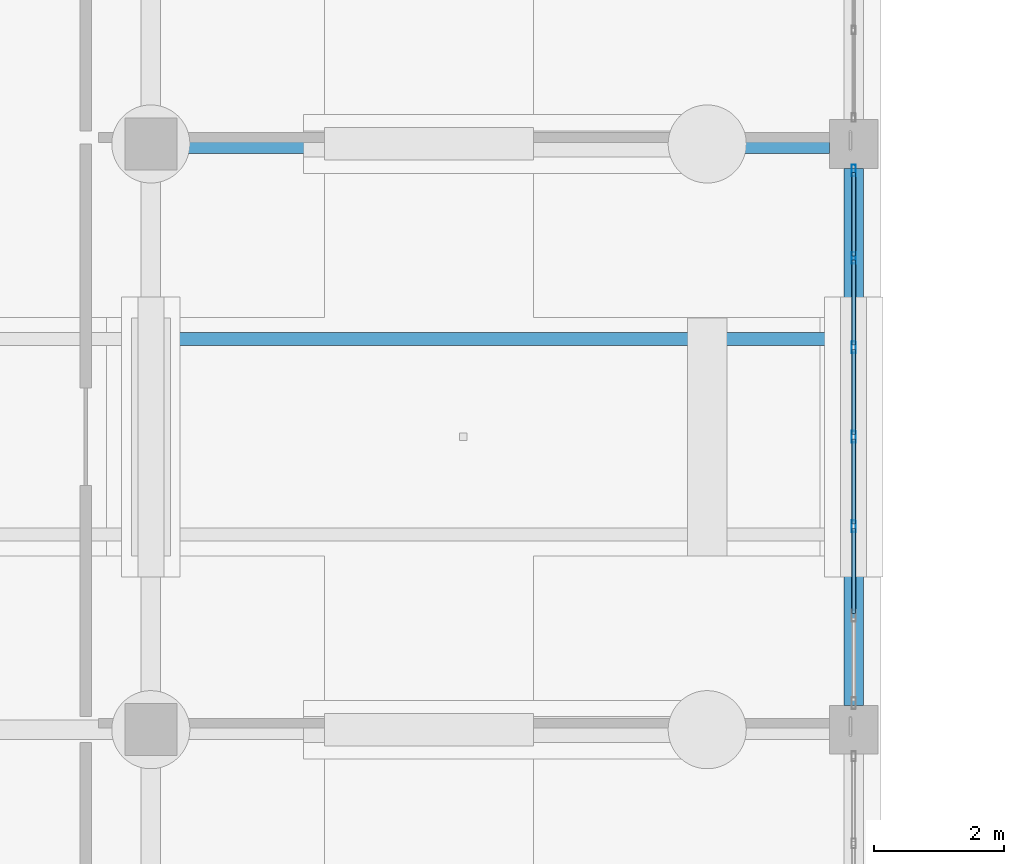
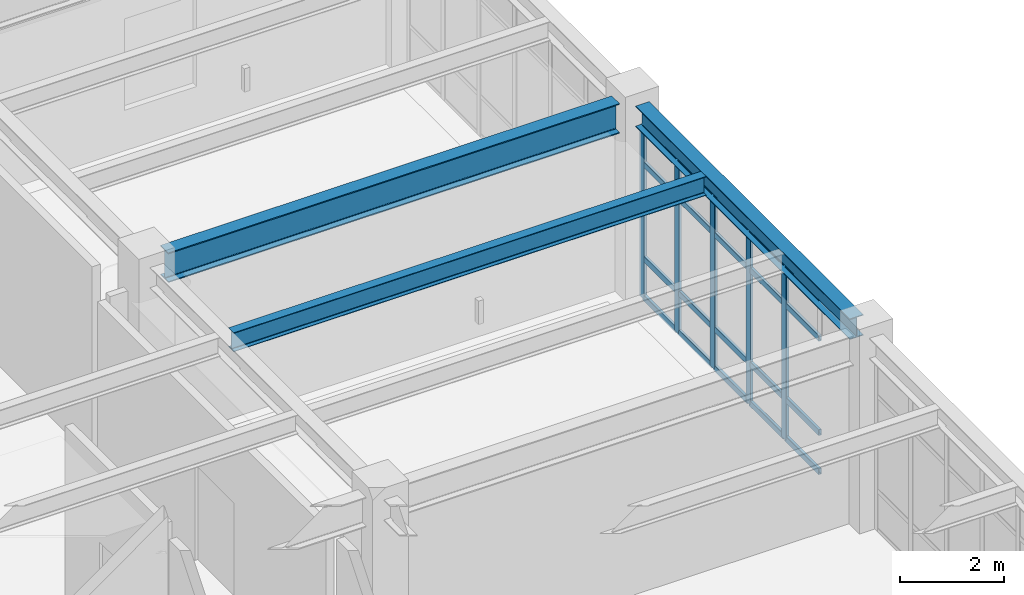
# One storey, part 46 of 98: 25 members, 3 beams, 1 element without a shape of its own.
"""IFC4 building model written with IfcOpenShell, lengths in metres."""

from ifc_helpers import new_model, si_unit, direction, frame, origin, origin_2d, place, context, subcontext, project, spatial, hollow_rectangle, i_section, extrude, material, material_profile, profile_set, type_object, element, aggregate, save


model = new_model("IFC4")

# Units and contexts
model_context = context("Model", 3, precision=1e-05, world=origin(), true_north=direction((0.0, 1.0)))
body_context = subcontext(model_context, "Body", "Model", "MODEL_VIEW")
ifc_project = project(units=[si_unit("LENGTHUNIT", "METRE"), si_unit("AREAUNIT", "SQUARE_METRE"), si_unit("VOLUMEUNIT", "CUBIC_METRE"), si_unit("PLANEANGLEUNIT", "RADIAN"), si_unit("MASSUNIT", "GRAM", prefix="KILO")], contexts=[model_context])

# Site, building, storey
site_placement = place(None, origin())
site = spatial("IfcSite", under=ifc_project, at=site_placement, CompositionType="ELEMENT")
building_placement = place(site_placement, origin())
building = spatial("IfcBuilding", under=site, at=building_placement, Name="Canglan Escarpment Cableway Terminal", CompositionType="ELEMENT")
storey_placement = place(building_placement, frame((0.0, 0.0, 9.60009765625)))
storey = spatial("IfcBuildingStorey", under=building, at=storey_placement, Name="L02", CompositionType="ELEMENT", Elevation=9.60009765625)

# Beams
ifc_material_1 = material(Name="Steel Q355B", Category="steel")
ifc_material_profile_1 = material_profile(ifc_material_1, i_section(OverallWidth=0.300048828125, OverallDepth=0.488037109375, WebThickness=0.010986328125, FlangeThickness=0.01806640625, FilletRadius=0.02587890625, at=origin_2d()), Name="HM 488x300x11x18")
ifc_profile_set_1 = profile_set([ifc_material_profile_1], Name="Steel Q355B")
beam_type_1 = type_object("IfcBeamType", Name="BM-HM488", PredefinedType="BEAM", material=ifc_profile_set_1)
beam_1_placement = place(storey_placement, frame((136.699951171875, 61.375, 4.27587890625), z_axis=(0.0, 1.0, 0.0), x_axis=(-1.0, 0.0, 0.0)))
element("IfcBeam", 1, at=beam_1_placement, inside=storey, type_object=beam_type_1, Name="Primary transverse girder B-09", PredefinedType="BEAM", context=body_context, shape_type="SweptSolid", body=[
    extrude(i_section(OverallWidth=0.300048828125, OverallDepth=0.488037109375, WebThickness=0.010986328125, FlangeThickness=0.01806640625, FilletRadius=0.02587890625, at=origin_2d()), origin(), (0.0, 0.0, 1.0), 8.25),
])
ifc_material_2 = material(Name="Steel Q355C", Category="steel")
ifc_material_profile_2 = material_profile(ifc_material_2, i_section(OverallWidth=0.300048828125, OverallDepth=0.699951171875, WebThickness=0.012939453125, FlangeThickness=0.02392578125, FilletRadius=0.028076171875, at=origin_2d()), Name="HN 700x300x13x24")
ifc_profile_set_2 = profile_set([ifc_material_profile_2], Name="Steel Q355C")
beam_type_2 = type_object("IfcBeamType", Name="BM-HN700", PredefinedType="BEAM", material=ifc_profile_set_2)
beam_2_placement = place(storey_placement, frame((126.300048828125, 70.0, 4.169921875), z_axis=(1.0, 0.0, 0.0), x_axis=(0.0, 1.0, 0.0)))
element("IfcBeam", 2, at=beam_2_placement, inside=storey, type_object=beam_type_2, Name="Primary structural girder B-06", PredefinedType="BEAM", context=body_context, shape_type="SweptSolid", body=[
    extrude(i_section(OverallWidth=0.300048828125, OverallDepth=0.699951171875, WebThickness=0.012939453125, FlangeThickness=0.02392578125, FilletRadius=0.028076171875, at=origin_2d()), origin(), (0.0, 0.0, 1.0), 10.02490234375),
])

# Curtain wall, members
ifc_material_3 = material(Name="Anodized bronze aluminium and Low-E double glazing", Category="aluminium")
curtain_wall_type = type_object("IfcCurtainWallType", Name="CW-BAY-8250x4025", PredefinedType="NOTDEFINED", material=ifc_material_3)
curtain_wall_placement = place(storey_placement, origin())
curtain_wall = element("IfcCurtainWall", 3, at=curtain_wall_placement, inside=storey, type_object=curtain_wall_type, Name="Classical bay-between-piers glazed curtain wall CW-43", PredefinedType="NOTDEFINED")
ifc_material_4 = material(Name="Thermally broken anodized aluminium 6063-T6", Category="aluminium")
ifc_material_profile_3 = material_profile(ifc_material_4, hollow_rectangle(XDim=0.06494140625, YDim=0.179931640625, WallThickness=0.00390625, InnerFilletRadius=0.00390625, OuterFilletRadius=0.008056640625, at=origin_2d()), Name="ALU-MULL 65x180x4")
ifc_profile_set_3 = profile_set([ifc_material_profile_3], Name="Thermally broken anodized aluminium 6063-T6")
member_type_1 = type_object("IfcMemberType", Name="CWM-03", PredefinedType="MULLION", material=ifc_profile_set_3)
member_1_placement = place(storey_placement, frame((136.699951171875, 64.125, 0.0), z_axis=(0.0, 0.0, 1.0), x_axis=(-1.0, 0.0, 0.0)))
member_1 = element("IfcMember", 4, at=member_1_placement, type_object=member_type_1, Name="CW-43 mullion 3", PredefinedType="MULLION", context=body_context, shape_type="SweptSolid", body=[
    extrude(hollow_rectangle(XDim=0.06494140625, YDim=0.179931640625, WallThickness=0.00390625, InnerFilletRadius=0.00390625, OuterFilletRadius=0.008056640625, at=origin_2d()), origin(), (0.0, 0.0, 1.0), 4.016845703125),
])
member_2_placement = place(storey_placement, frame((136.699951171875, 65.5, 0.0), z_axis=(0.0, 0.0, 1.0), x_axis=(-1.0, 0.0, 0.0)))
member_2 = element("IfcMember", 5, at=member_2_placement, type_object=member_type_1, Name="CW-43 mullion 4", PredefinedType="MULLION", context=body_context, shape_type="SweptSolid", body=[
    extrude(hollow_rectangle(XDim=0.06494140625, YDim=0.179931640625, WallThickness=0.00390625, InnerFilletRadius=0.00390625, OuterFilletRadius=0.008056640625, at=origin_2d()), origin(), (0.0, 0.0, 1.0), 4.016845703125),
])
member_3_placement = place(storey_placement, frame((136.699951171875, 66.875, 0.0), z_axis=(0.0, 0.0, 1.0), x_axis=(-1.0, 0.0, 0.0)))
member_3 = element("IfcMember", 6, at=member_3_placement, type_object=member_type_1, Name="CW-43 mullion 5", PredefinedType="MULLION", context=body_context, shape_type="SweptSolid", body=[
    extrude(hollow_rectangle(XDim=0.06494140625, YDim=0.179931640625, WallThickness=0.00390625, InnerFilletRadius=0.00390625, OuterFilletRadius=0.008056640625, at=origin_2d()), origin(), (0.0, 0.0, 1.0), 4.016845703125),
])
member_4_placement = place(storey_placement, frame((136.699951171875, 68.25, 0.0), z_axis=(0.0, 0.0, 1.0), x_axis=(-1.0, 0.0, 0.0)))
member_4 = element("IfcMember", 7, at=member_4_placement, type_object=member_type_1, Name="CW-43 mullion 6", PredefinedType="MULLION", context=body_context, shape_type="SweptSolid", body=[
    extrude(hollow_rectangle(XDim=0.06494140625, YDim=0.179931640625, WallThickness=0.00390625, InnerFilletRadius=0.00390625, OuterFilletRadius=0.008056640625, at=origin_2d()), origin(), (0.0, 0.0, 1.0), 4.016845703125),
])
member_5_placement = place(storey_placement, frame((136.699951171875, 69.592529296875, 0.0), z_axis=(0.0, 0.0, 1.0), x_axis=(-1.0, 0.0, 0.0)))
member_5 = element("IfcMember", 8, at=member_5_placement, type_object=member_type_1, Name="CW-43 mullion 7", PredefinedType="MULLION", context=body_context, shape_type="SweptSolid", body=[
    extrude(hollow_rectangle(XDim=0.06494140625, YDim=0.179931640625, WallThickness=0.00390625, InnerFilletRadius=0.00390625, OuterFilletRadius=0.008056640625, at=origin_2d()), origin(), (0.0, 0.0, 1.0), 4.016845703125),
])
ifc_material_profile_4 = material_profile(ifc_material_4, hollow_rectangle(XDim=0.06494140625, YDim=0.139892578125, WallThickness=0.00341796875, InnerFilletRadius=0.00341796875, OuterFilletRadius=0.007080078125, at=origin_2d()), Name="ALU-TRAN 65x140x3.5")
ifc_profile_set_4 = profile_set([ifc_material_profile_4], Name="Thermally broken anodized aluminium 6063-T6")
member_type_2 = type_object("IfcMemberType", Name="CWT-03", PredefinedType="USERDEFINED", material=ifc_profile_set_4)
member_6_placement = place(storey_placement, frame((136.699951171875, 62.782470703125, 0.032470703125), z_axis=(0.0, 1.0, 0.0), x_axis=(-1.0, 0.0, 0.0)))
member_6 = element("IfcMember", 9, at=member_6_placement, type_object=member_type_2, Name="CW-43 transom 2.1", ObjectType="TRANSOM", PredefinedType="USERDEFINED", context=body_context, shape_type="SweptSolid", body=[
    extrude(hollow_rectangle(XDim=0.06494140625, YDim=0.139892578125, WallThickness=0.00341796875, InnerFilletRadius=0.00341796875, OuterFilletRadius=0.007080078125, at=origin_2d()), origin(), (0.0, 0.0, 1.0), 1.31005859375),
])
member_7_placement = place(storey_placement, frame((136.699951171875, 62.782470703125, 0.949951171875), z_axis=(0.0, 1.0, 0.0), x_axis=(-1.0, 0.0, 0.0)))
member_7 = element("IfcMember", 10, at=member_7_placement, type_object=member_type_2, Name="CW-43 transom 2.2", ObjectType="TRANSOM", PredefinedType="USERDEFINED", context=body_context, shape_type="SweptSolid", body=[
    extrude(hollow_rectangle(XDim=0.06494140625, YDim=0.139892578125, WallThickness=0.00341796875, InnerFilletRadius=0.00341796875, OuterFilletRadius=0.007080078125, at=origin_2d()), origin(), (0.0, 0.0, 1.0), 1.31005859375),
])
member_8_placement = place(storey_placement, frame((136.699951171875, 62.782470703125, 3.1669921875), z_axis=(0.0, 1.0, 0.0), x_axis=(-1.0, 0.0, 0.0)))
member_8 = element("IfcMember", 11, at=member_8_placement, type_object=member_type_2, Name="CW-43 transom 2.3", ObjectType="TRANSOM", PredefinedType="USERDEFINED", context=body_context, shape_type="SweptSolid", body=[
    extrude(hollow_rectangle(XDim=0.06494140625, YDim=0.139892578125, WallThickness=0.00341796875, InnerFilletRadius=0.00341796875, OuterFilletRadius=0.007080078125, at=origin_2d()), origin(), (0.0, 0.0, 1.0), 1.31005859375),
])
member_9_placement = place(storey_placement, frame((136.699951171875, 62.782470703125, 3.984375), z_axis=(0.0, 1.0, 0.0), x_axis=(-1.0, 0.0, 0.0)))
member_9 = element("IfcMember", 12, at=member_9_placement, type_object=member_type_2, Name="CW-43 transom 2.4", ObjectType="TRANSOM", PredefinedType="USERDEFINED", context=body_context, shape_type="SweptSolid", body=[
    extrude(hollow_rectangle(XDim=0.06494140625, YDim=0.139892578125, WallThickness=0.00341796875, InnerFilletRadius=0.00341796875, OuterFilletRadius=0.007080078125, at=origin_2d()), origin(), (0.0, 0.0, 1.0), 1.31005859375),
])
member_10_placement = place(storey_placement, frame((136.699951171875, 64.157470703125, 0.032470703125), z_axis=(0.0, 1.0, 0.0), x_axis=(-1.0, 0.0, 0.0)))
member_10 = element("IfcMember", 13, at=member_10_placement, type_object=member_type_2, Name="CW-43 transom 3.1", ObjectType="TRANSOM", PredefinedType="USERDEFINED", context=body_context, shape_type="SweptSolid", body=[
    extrude(hollow_rectangle(XDim=0.06494140625, YDim=0.139892578125, WallThickness=0.00341796875, InnerFilletRadius=0.00341796875, OuterFilletRadius=0.007080078125, at=origin_2d()), origin(), (0.0, 0.0, 1.0), 1.31005859375),
])
member_11_placement = place(storey_placement, frame((136.699951171875, 64.157470703125, 0.949951171875), z_axis=(0.0, 1.0, 0.0), x_axis=(-1.0, 0.0, 0.0)))
member_11 = element("IfcMember", 14, at=member_11_placement, type_object=member_type_2, Name="CW-43 transom 3.2", ObjectType="TRANSOM", PredefinedType="USERDEFINED", context=body_context, shape_type="SweptSolid", body=[
    extrude(hollow_rectangle(XDim=0.06494140625, YDim=0.139892578125, WallThickness=0.00341796875, InnerFilletRadius=0.00341796875, OuterFilletRadius=0.007080078125, at=origin_2d()), origin(), (0.0, 0.0, 1.0), 1.31005859375),
])
member_12_placement = place(storey_placement, frame((136.699951171875, 64.157470703125, 3.1669921875), z_axis=(0.0, 1.0, 0.0), x_axis=(-1.0, 0.0, 0.0)))
member_12 = element("IfcMember", 15, at=member_12_placement, type_object=member_type_2, Name="CW-43 transom 3.3", ObjectType="TRANSOM", PredefinedType="USERDEFINED", context=body_context, shape_type="SweptSolid", body=[
    extrude(hollow_rectangle(XDim=0.06494140625, YDim=0.139892578125, WallThickness=0.00341796875, InnerFilletRadius=0.00341796875, OuterFilletRadius=0.007080078125, at=origin_2d()), origin(), (0.0, 0.0, 1.0), 1.31005859375),
])
member_13_placement = place(storey_placement, frame((136.699951171875, 64.157470703125, 3.984375), z_axis=(0.0, 1.0, 0.0), x_axis=(-1.0, 0.0, 0.0)))
member_13 = element("IfcMember", 16, at=member_13_placement, type_object=member_type_2, Name="CW-43 transom 3.4", ObjectType="TRANSOM", PredefinedType="USERDEFINED", context=body_context, shape_type="SweptSolid", body=[
    extrude(hollow_rectangle(XDim=0.06494140625, YDim=0.139892578125, WallThickness=0.00341796875, InnerFilletRadius=0.00341796875, OuterFilletRadius=0.007080078125, at=origin_2d()), origin(), (0.0, 0.0, 1.0), 1.31005859375),
])
member_14_placement = place(storey_placement, frame((136.699951171875, 65.532470703125, 0.032470703125), z_axis=(0.0, 1.0, 0.0), x_axis=(-1.0, 0.0, 0.0)))
member_14 = element("IfcMember", 17, at=member_14_placement, type_object=member_type_2, Name="CW-43 transom 4.1", ObjectType="TRANSOM", PredefinedType="USERDEFINED", context=body_context, shape_type="SweptSolid", body=[
    extrude(hollow_rectangle(XDim=0.06494140625, YDim=0.139892578125, WallThickness=0.00341796875, InnerFilletRadius=0.00341796875, OuterFilletRadius=0.007080078125, at=origin_2d()), origin(), (0.0, 0.0, 1.0), 1.31005859375),
])
member_15_placement = place(storey_placement, frame((136.699951171875, 65.532470703125, 0.949951171875), z_axis=(0.0, 1.0, 0.0), x_axis=(-1.0, 0.0, 0.0)))
member_15 = element("IfcMember", 18, at=member_15_placement, type_object=member_type_2, Name="CW-43 transom 4.2", ObjectType="TRANSOM", PredefinedType="USERDEFINED", context=body_context, shape_type="SweptSolid", body=[
    extrude(hollow_rectangle(XDim=0.06494140625, YDim=0.139892578125, WallThickness=0.00341796875, InnerFilletRadius=0.00341796875, OuterFilletRadius=0.007080078125, at=origin_2d()), origin(), (0.0, 0.0, 1.0), 1.31005859375),
])
member_16_placement = place(storey_placement, frame((136.699951171875, 65.532470703125, 3.1669921875), z_axis=(0.0, 1.0, 0.0), x_axis=(-1.0, 0.0, 0.0)))
member_16 = element("IfcMember", 19, at=member_16_placement, type_object=member_type_2, Name="CW-43 transom 4.3", ObjectType="TRANSOM", PredefinedType="USERDEFINED", context=body_context, shape_type="SweptSolid", body=[
    extrude(hollow_rectangle(XDim=0.06494140625, YDim=0.139892578125, WallThickness=0.00341796875, InnerFilletRadius=0.00341796875, OuterFilletRadius=0.007080078125, at=origin_2d()), origin(), (0.0, 0.0, 1.0), 1.31005859375),
])
member_17_placement = place(storey_placement, frame((136.699951171875, 65.532470703125, 3.984375), z_axis=(0.0, 1.0, 0.0), x_axis=(-1.0, 0.0, 0.0)))
member_17 = element("IfcMember", 20, at=member_17_placement, type_object=member_type_2, Name="CW-43 transom 4.4", ObjectType="TRANSOM", PredefinedType="USERDEFINED", context=body_context, shape_type="SweptSolid", body=[
    extrude(hollow_rectangle(XDim=0.06494140625, YDim=0.139892578125, WallThickness=0.00341796875, InnerFilletRadius=0.00341796875, OuterFilletRadius=0.007080078125, at=origin_2d()), origin(), (0.0, 0.0, 1.0), 1.31005859375),
])
member_18_placement = place(storey_placement, frame((136.699951171875, 66.907470703125, 0.032470703125), z_axis=(0.0, 1.0, 0.0), x_axis=(-1.0, 0.0, 0.0)))
member_18 = element("IfcMember", 21, at=member_18_placement, type_object=member_type_2, Name="CW-43 transom 5.1", ObjectType="TRANSOM", PredefinedType="USERDEFINED", context=body_context, shape_type="SweptSolid", body=[
    extrude(hollow_rectangle(XDim=0.06494140625, YDim=0.139892578125, WallThickness=0.00341796875, InnerFilletRadius=0.00341796875, OuterFilletRadius=0.007080078125, at=origin_2d()), origin(), (0.0, 0.0, 1.0), 1.31005859375),
])
member_19_placement = place(storey_placement, frame((136.699951171875, 66.907470703125, 0.949951171875), z_axis=(0.0, 1.0, 0.0), x_axis=(-1.0, 0.0, 0.0)))
member_19 = element("IfcMember", 22, at=member_19_placement, type_object=member_type_2, Name="CW-43 transom 5.2", ObjectType="TRANSOM", PredefinedType="USERDEFINED", context=body_context, shape_type="SweptSolid", body=[
    extrude(hollow_rectangle(XDim=0.06494140625, YDim=0.139892578125, WallThickness=0.00341796875, InnerFilletRadius=0.00341796875, OuterFilletRadius=0.007080078125, at=origin_2d()), origin(), (0.0, 0.0, 1.0), 1.31005859375),
])
member_20_placement = place(storey_placement, frame((136.699951171875, 66.907470703125, 3.1669921875), z_axis=(0.0, 1.0, 0.0), x_axis=(-1.0, 0.0, 0.0)))
member_20 = element("IfcMember", 23, at=member_20_placement, type_object=member_type_2, Name="CW-43 transom 5.3", ObjectType="TRANSOM", PredefinedType="USERDEFINED", context=body_context, shape_type="SweptSolid", body=[
    extrude(hollow_rectangle(XDim=0.06494140625, YDim=0.139892578125, WallThickness=0.00341796875, InnerFilletRadius=0.00341796875, OuterFilletRadius=0.007080078125, at=origin_2d()), origin(), (0.0, 0.0, 1.0), 1.31005859375),
])
member_21_placement = place(storey_placement, frame((136.699951171875, 66.907470703125, 3.984375), z_axis=(0.0, 1.0, 0.0), x_axis=(-1.0, 0.0, 0.0)))
member_21 = element("IfcMember", 24, at=member_21_placement, type_object=member_type_2, Name="CW-43 transom 5.4", ObjectType="TRANSOM", PredefinedType="USERDEFINED", context=body_context, shape_type="SweptSolid", body=[
    extrude(hollow_rectangle(XDim=0.06494140625, YDim=0.139892578125, WallThickness=0.00341796875, InnerFilletRadius=0.00341796875, OuterFilletRadius=0.007080078125, at=origin_2d()), origin(), (0.0, 0.0, 1.0), 1.31005859375),
])
member_22_placement = place(storey_placement, frame((136.699951171875, 68.282470703125, 0.032470703125), z_axis=(0.0, 1.0, 0.0), x_axis=(-1.0, 0.0, 0.0)))
member_22 = element("IfcMember", 25, at=member_22_placement, type_object=member_type_2, Name="CW-43 transom 6.1", ObjectType="TRANSOM", PredefinedType="USERDEFINED", context=body_context, shape_type="SweptSolid", body=[
    extrude(hollow_rectangle(XDim=0.06494140625, YDim=0.139892578125, WallThickness=0.00341796875, InnerFilletRadius=0.00341796875, OuterFilletRadius=0.007080078125, at=origin_2d()), origin(), (0.0, 0.0, 1.0), 1.277587890625),
])
member_23_placement = place(storey_placement, frame((136.699951171875, 68.282470703125, 0.949951171875), z_axis=(0.0, 1.0, 0.0), x_axis=(-1.0, 0.0, 0.0)))
member_23 = element("IfcMember", 26, at=member_23_placement, type_object=member_type_2, Name="CW-43 transom 6.2", ObjectType="TRANSOM", PredefinedType="USERDEFINED", context=body_context, shape_type="SweptSolid", body=[
    extrude(hollow_rectangle(XDim=0.06494140625, YDim=0.139892578125, WallThickness=0.00341796875, InnerFilletRadius=0.00341796875, OuterFilletRadius=0.007080078125, at=origin_2d()), origin(), (0.0, 0.0, 1.0), 1.277587890625),
])
member_24_placement = place(storey_placement, frame((136.699951171875, 68.282470703125, 3.1669921875), z_axis=(0.0, 1.0, 0.0), x_axis=(-1.0, 0.0, 0.0)))
member_24 = element("IfcMember", 27, at=member_24_placement, type_object=member_type_2, Name="CW-43 transom 6.3", ObjectType="TRANSOM", PredefinedType="USERDEFINED", context=body_context, shape_type="SweptSolid", body=[
    extrude(hollow_rectangle(XDim=0.06494140625, YDim=0.139892578125, WallThickness=0.00341796875, InnerFilletRadius=0.00341796875, OuterFilletRadius=0.007080078125, at=origin_2d()), origin(), (0.0, 0.0, 1.0), 1.277587890625),
])
member_25_placement = place(storey_placement, frame((136.699951171875, 68.282470703125, 3.984375), z_axis=(0.0, 1.0, 0.0), x_axis=(-1.0, 0.0, 0.0)))
member_25 = element("IfcMember", 28, at=member_25_placement, type_object=member_type_2, Name="CW-43 transom 6.4", ObjectType="TRANSOM", PredefinedType="USERDEFINED", context=body_context, shape_type="SweptSolid", body=[
    extrude(hollow_rectangle(XDim=0.06494140625, YDim=0.139892578125, WallThickness=0.00341796875, InnerFilletRadius=0.00341796875, OuterFilletRadius=0.007080078125, at=origin_2d()), origin(), (0.0, 0.0, 1.0), 1.277587890625),
])
aggregate(curtain_wall, [member_1, member_2, member_3, member_4, member_5, member_6, member_7, member_8, member_9, member_10, member_11, member_12, member_13, member_14, member_15, member_16, member_17, member_18, member_19, member_20, member_21, member_22, member_23, member_24, member_25])

# Beam
ifc_material_profile_5 = material_profile(ifc_material_1, i_section(OverallWidth=0.199951171875, OverallDepth=0.449951171875, WebThickness=0.009033203125, FlangeThickness=0.013916015625, FilletRadius=0.01806640625, at=origin_2d()), Name="HN 450x200x9x14")
ifc_profile_set_5 = profile_set([ifc_material_profile_5], Name="Steel Q355B")
beam_type_3 = type_object("IfcBeamType", Name="JS-HN450", PredefinedType="JOIST", material=ifc_profile_set_5)
beam_3_placement = place(storey_placement, frame((126.050048828125, 67.0, 4.294921875), z_axis=(1.0, 0.0, 0.0), x_axis=(0.0, 1.0, 0.0)))
element("IfcBeam", 29, at=beam_3_placement, inside=storey, type_object=beam_type_3, Name="Secondary composite deck joist J-02", PredefinedType="JOIST", context=body_context, shape_type="SweptSolid", body=[
    extrude(i_section(OverallWidth=0.199951171875, OverallDepth=0.449951171875, WebThickness=0.009033203125, FlangeThickness=0.013916015625, FilletRadius=0.01806640625, at=origin_2d()), origin(), (0.0, 0.0, 1.0), 10.5),
])

save(model, "model.ifc")
